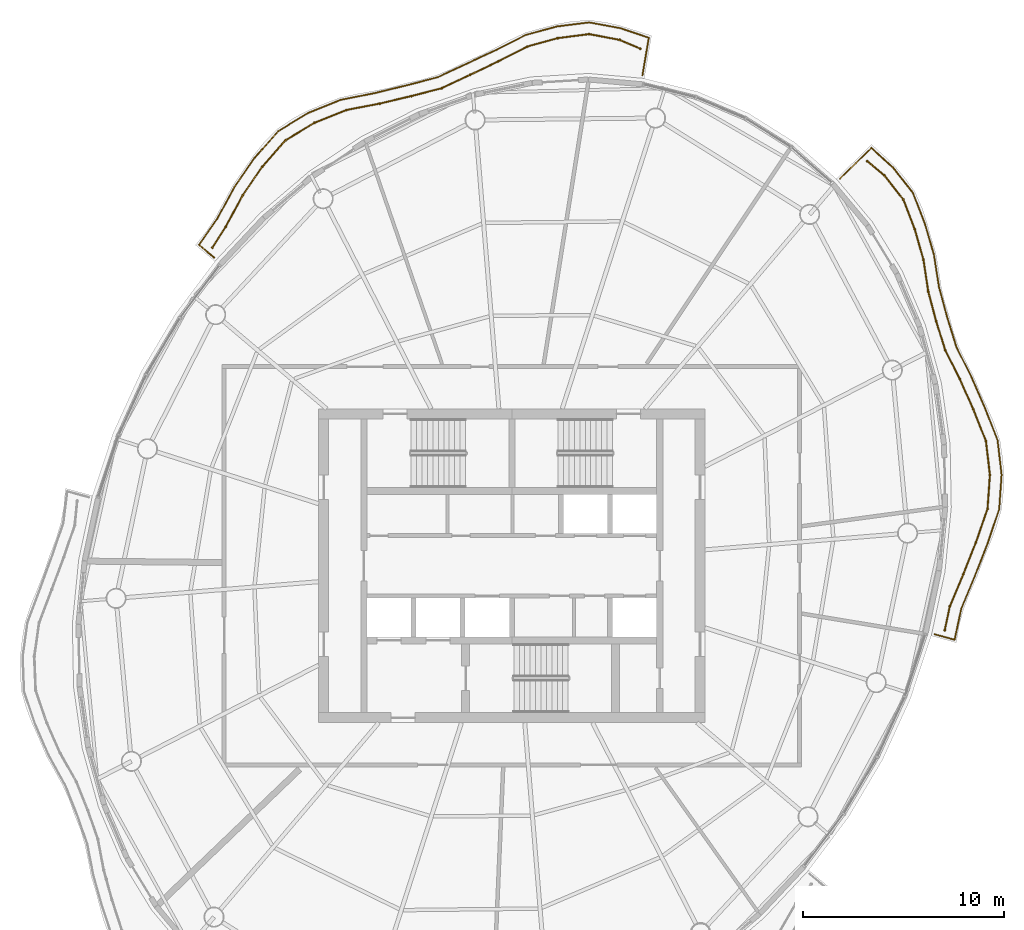
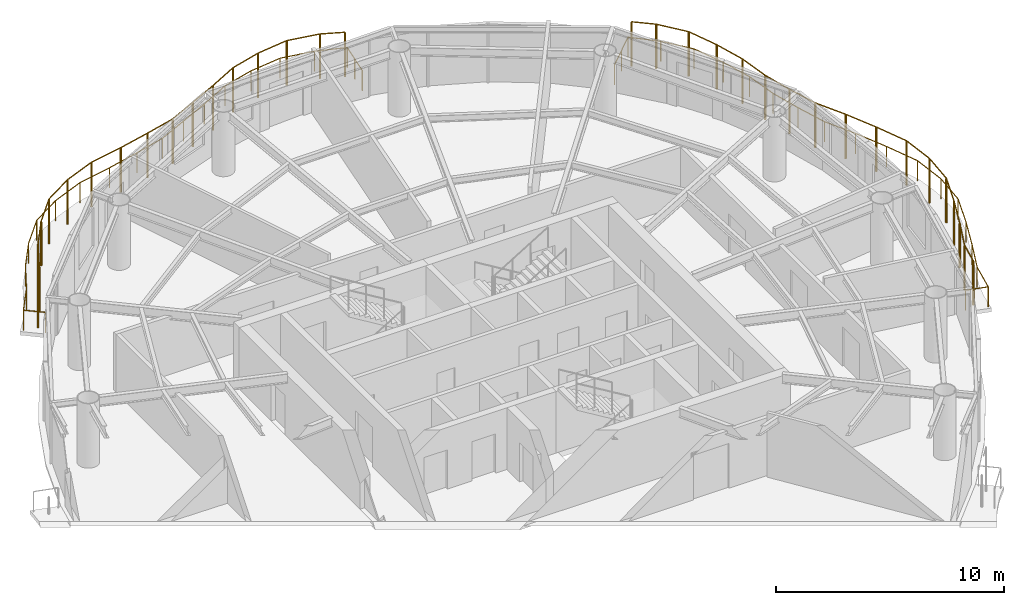
# One storey, part 13 of 13: 4 railings.
"""IFC4 building model written with IfcOpenShell, lengths in metres."""

from ifc_helpers import new_model, si_unit, direction, frame, origin, origin_2d, place, context, subcontext, project, spatial, circle, extrude, material, type_object, element, save


model = new_model("IFC4")

# Units and contexts
model_context = context("Model", 3, precision=1e-05, world=origin(), true_north=direction((0.0, 1.0)))
body_context = subcontext(model_context, "Body", "Model", "MODEL_VIEW")
ifc_project = project(units=[si_unit("LENGTHUNIT", "METRE"), si_unit("AREAUNIT", "SQUARE_METRE"), si_unit("VOLUMEUNIT", "CUBIC_METRE"), si_unit("PLANEANGLEUNIT", "RADIAN"), si_unit("MASSUNIT", "GRAM", prefix="KILO")], contexts=[model_context])

# Site, building, storey
site_placement = place(None, origin())
site = spatial("IfcSite", under=ifc_project, at=site_placement, CompositionType="ELEMENT")
building_placement = place(site_placement, origin())
building = spatial("IfcBuilding", under=site, at=building_placement, Name="Vermilion Reach Broadcast Tower", CompositionType="ELEMENT")
storey_placement = place(building_placement, frame((0.0, 0.0, 282.89990234375)))
storey = spatial("IfcBuildingStorey", under=building, at=storey_placement, Name="L70", CompositionType="ELEMENT", Elevation=282.89990234375)

# Railings
ifc_material_1 = material(Name="Terracotta baguette", Category="masonry")
railing_type_1 = type_object("IfcRailingType", Name="BAGUETTE SCREEN", PredefinedType="USERDEFINED", material=ifc_material_1)
railing_1_placement = place(storey_placement, frame((0.37939453125, 25.6923828125, 0.0)))
element("IfcRailing", 1, at=railing_1_placement, inside=storey, type_object=railing_type_1, Name="Baguette screen L70 group 1", ObjectType="BAGUETTE SCREEN", PredefinedType="USERDEFINED", context=body_context, shape_type="SweptSolid", body=[
    extrude(circle(Radius=0.030029296875, at=origin_2d()), frame((0.0, 0.0, 2.369873046875), z_axis=(-0.919269961753, 0.393627663432, 0.0), x_axis=(-0.393627663432, -0.919269961753, 0.0)), (0.0, 0.0, 1.0), 1.111572265625),
    extrude(circle(Radius=0.030029296875, at=origin_2d()), frame((-1.021728515625, 0.4375, 2.369873046875), z_axis=(-0.982446151198, 0.186546401722, 0.0), x_axis=(-0.186546401722, -0.982446151198, 0.0)), (0.0, 0.0, 1.0), 1.546875),
    extrude(circle(Radius=0.030029296875, at=origin_2d()), frame((-2.54150390625, 0.72607421875, 2.369873046875), z_axis=(-0.991807706507, -0.127739865799, 0.0), x_axis=(0.127739865799, -0.991807706507, 0.0)), (0.0, 0.0, 1.0), 1.572998046875),
    extrude(circle(Radius=0.030029296875, at=origin_2d()), frame((-4.1015625, 0.525146484375, 2.369873046875), z_axis=(-0.964058747064, -0.265689164645, 0.0), x_axis=(0.265689164645, -0.964058747064, 0.0)), (0.0, 0.0, 1.0), 1.56591796875),
    extrude(circle(Radius=0.030029296875, at=origin_2d()), frame((-5.611083984375, 0.109130859375, 2.369873046875), z_axis=(-0.889115163415, -0.457683543712, 0.0), x_axis=(0.457683543712, -0.889115163415, 0.0)), (0.0, 0.0, 1.0), 1.62744140625),
    extrude(circle(Radius=0.030029296875, at=origin_2d()), frame((-7.05810546875, -0.6357421875, 2.369873046875), z_axis=(-0.903728227747, -0.428106634349, 0.0), x_axis=(0.428106634349, -0.903728227747, 0.0)), (0.0, 0.0, 1.0), 1.5517578125),
    extrude(circle(Radius=0.030029296875, at=origin_2d()), frame((-8.46044921875, -1.300048828125, 2.369873046875), z_axis=(-0.904255386479, -0.42699203274, 0.0), x_axis=(0.42699203274, -0.904255386479, 0.0)), (0.0, 0.0, 1.0), 1.553955078125),
    extrude(circle(Radius=0.030029296875, at=origin_2d()), frame((-9.86572265625, -1.963623046875, 2.369873046875), z_axis=(-0.968133059881, -0.250436375881, 0.0), x_axis=(0.250436375881, -0.968133059881, 0.0)), (0.0, 0.0, 1.0), 1.547119140625),
    extrude(circle(Radius=0.030029296875, at=origin_2d()), frame((-11.363525390625, -2.35107421875, 2.369873046875), z_axis=(-0.972830405239, -0.231518903426, 0.0), x_axis=(0.231518903426, -0.972830405239, 0.0)), (0.0, 0.0, 1.0), 1.6240234375),
    extrude(circle(Radius=0.030029296875, at=origin_2d()), frame((-12.943359375, -2.72705078125, 2.369873046875), z_axis=(-0.982001304722, -0.188874131432, 0.0), x_axis=(0.188874131432, -0.982001304722, 0.0)), (0.0, 0.0, 1.0), 1.693359375),
    extrude(circle(Radius=0.030029296875, at=origin_2d()), frame((-14.606201171875, -3.046875, 2.369873046875), z_axis=(-0.92810034411, -0.372330164319, 0.0), x_axis=(0.372330164319, -0.92810034411, 0.0)), (0.0, 0.0, 1.0), 1.7021484375),
    extrude(circle(Radius=0.030029296875, at=origin_2d()), frame((-16.18603515625, -3.6806640625, 2.369873046875), z_axis=(-0.855213370004, -0.518276076783, 0.0), x_axis=(0.518276076783, -0.855213370004, 0.0)), (0.0, 0.0, 1.0), 1.688232421875),
    extrude(circle(Radius=0.030029296875, at=origin_2d()), frame((-17.6298828125, -4.5556640625, 2.369873046875), z_axis=(-0.661058813369, -0.750334089101, 0.0), x_axis=(0.750334089101, -0.661058813369, 0.0)), (0.0, 0.0, 1.0), 1.736572265625),
    extrude(circle(Radius=0.030029296875, at=origin_2d()), frame((-18.77783203125, -5.858642578125, 2.369873046875), z_axis=(-0.565913748762, -0.824464449787, 0.0), x_axis=(0.824464449787, -0.565913748762, 0.0)), (0.0, 0.0, 1.0), 1.735595703125),
    extrude(circle(Radius=0.030029296875, at=origin_2d()), frame((-19.760009765625, -7.28955078125, 2.369873046875), z_axis=(-0.472105980644, -0.881541798805, 0.0), x_axis=(0.881541798805, -0.472105980644, 0.0)), (0.0, 0.0, 1.0), 1.7607421875),
    extrude(circle(Radius=0.030029296875, at=origin_2d()), frame((-20.59130859375, -8.841796875, 2.369873046875), z_axis=(-0.538924422006, -0.842354122305, 0.0), x_axis=(0.842354122305, -0.538924422006, 0.0)), (0.0, 0.0, 1.0), 1.232666015625),
    extrude(circle(Radius=0.050048828125, at=origin_2d()), origin(), (0.0, 0.0, 1.0), 2.33984375),
    extrude(circle(Radius=0.050048828125, at=origin_2d()), frame((-1.021728515625, 0.4375, 0.0)), (0.0, 0.0, 1.0), 2.33984375),
    extrude(circle(Radius=0.050048828125, at=origin_2d()), frame((-2.54150390625, 0.72607421875, 0.0)), (0.0, 0.0, 1.0), 2.33984375),
    extrude(circle(Radius=0.050048828125, at=origin_2d()), frame((-4.1015625, 0.525146484375, 0.0)), (0.0, 0.0, 1.0), 2.33984375),
    extrude(circle(Radius=0.050048828125, at=origin_2d()), frame((-5.611083984375, 0.109130859375, 0.0)), (0.0, 0.0, 1.0), 2.33984375),
    extrude(circle(Radius=0.050048828125, at=origin_2d()), frame((-7.05810546875, -0.6357421875, 0.0)), (0.0, 0.0, 1.0), 2.33984375),
    extrude(circle(Radius=0.050048828125, at=origin_2d()), frame((-8.46044921875, -1.300048828125, 0.0)), (0.0, 0.0, 1.0), 2.33984375),
    extrude(circle(Radius=0.050048828125, at=origin_2d()), frame((-9.86572265625, -1.963623046875, 0.0)), (0.0, 0.0, 1.0), 2.33984375),
    extrude(circle(Radius=0.050048828125, at=origin_2d()), frame((-11.363525390625, -2.35107421875, 0.0)), (0.0, 0.0, 1.0), 2.33984375),
    extrude(circle(Radius=0.050048828125, at=origin_2d()), frame((-12.943359375, -2.72705078125, 0.0)), (0.0, 0.0, 1.0), 2.33984375),
    extrude(circle(Radius=0.050048828125, at=origin_2d()), frame((-14.606201171875, -3.046875, 0.0)), (0.0, 0.0, 1.0), 2.33984375),
    extrude(circle(Radius=0.050048828125, at=origin_2d()), frame((-16.18603515625, -3.6806640625, 0.0)), (0.0, 0.0, 1.0), 2.33984375),
    extrude(circle(Radius=0.050048828125, at=origin_2d()), frame((-17.6298828125, -4.5556640625, 0.0)), (0.0, 0.0, 1.0), 2.33984375),
    extrude(circle(Radius=0.050048828125, at=origin_2d()), frame((-18.77783203125, -5.858642578125, 0.0)), (0.0, 0.0, 1.0), 2.33984375),
    extrude(circle(Radius=0.050048828125, at=origin_2d()), frame((-19.760009765625, -7.28955078125, 0.0)), (0.0, 0.0, 1.0), 2.33984375),
    extrude(circle(Radius=0.050048828125, at=origin_2d()), frame((-20.59130859375, -8.841796875, 0.0)), (0.0, 0.0, 1.0), 2.33984375),
    extrude(circle(Radius=0.050048828125, at=origin_2d()), frame((-21.255615234375, -9.880126953125, 0.0)), (0.0, 0.0, 1.0), 2.33984375),
])
railing_2_placement = place(storey_placement, frame((15.5107421875, -3.201171875, 0.0)))
element("IfcRailing", 2, at=railing_2_placement, inside=storey, type_object=railing_type_1, Name="Baguette screen L70 group 4", ObjectType="BAGUETTE SCREEN", PredefinedType="USERDEFINED", context=body_context, shape_type="SweptSolid", body=[
    extrude(circle(Radius=0.030029296875, at=origin_2d()), frame((0.0, 0.0, 2.369873046875), z_axis=(0.208746186593, 0.97796985106, 0.0), x_axis=(-0.97796985106, 0.208746186593, 0.0)), (0.0, 0.0, 1.0), 1.214111328125),
    extrude(circle(Radius=0.030029296875, at=origin_2d()), frame((0.25341796875, 1.187255859375, 2.369873046875), z_axis=(0.388235399311, 0.921560239334, 0.0), x_axis=(-0.921560239334, 0.388235399311, 0.0)), (0.0, 0.0, 1.0), 1.712890625),
    extrude(circle(Radius=0.030029296875, at=origin_2d()), frame((0.91845703125, 2.765869140625, 2.369873046875), z_axis=(0.367308438936, 0.930099194004, 0.0), x_axis=(-0.930099194004, 0.367308438936, 0.0)), (0.0, 0.0, 1.0), 1.723388671875),
    extrude(circle(Radius=0.030029296875, at=origin_2d()), frame((1.551513671875, 4.368896484375, 2.369873046875), z_axis=(0.32719634818, 0.944956374516, 0.0), x_axis=(-0.944956374516, 0.32719634818, 0.0)), (0.0, 0.0, 1.0), 1.759521484375),
    extrude(circle(Radius=0.030029296875, at=origin_2d()), frame((2.127197265625, 6.031494140625, 2.369873046875), z_axis=(0.070114558501, 0.99753894595, 0.0), x_axis=(-0.99753894595, 0.070114558501, 0.0)), (0.0, 0.0, 1.0), 1.685302734375),
    extrude(circle(Radius=0.030029296875, at=origin_2d()), frame((2.245361328125, 7.712646484375, 2.369873046875), z_axis=(-0.116263030346, 0.99321845924, 0.0), x_axis=(-0.99321845924, -0.116263030346, 0.0)), (0.0, 0.0, 1.0), 1.6904296875),
    extrude(circle(Radius=0.030029296875, at=origin_2d()), frame((2.048828125, 9.3916015625, 2.369873046875), z_axis=(-0.369575082549, 0.929200870834, 0.0), x_axis=(-0.929200870834, -0.369575082549, 0.0)), (0.0, 0.0, 1.0), 1.693115234375),
    extrude(circle(Radius=0.030029296875, at=origin_2d()), frame((1.423095703125, 10.96484375, 2.369873046875), z_axis=(-0.406820678369, 0.913508038088, 0.0), x_axis=(-0.913508038088, -0.406820678369, 0.0)), (0.0, 0.0, 1.0), 1.659912109375),
    extrude(circle(Radius=0.030029296875, at=origin_2d()), frame((0.747802734375, 12.481201171875, 2.369873046875), z_axis=(-0.452245099719, 0.891893698699, 0.0), x_axis=(-0.891893698699, -0.452245099719, 0.0)), (0.0, 0.0, 1.0), 1.58935546875),
    extrude(circle(Radius=0.030029296875, at=origin_2d()), frame((0.029052734375, 13.898681640625, 2.369873046875), z_axis=(-0.298636763805, 0.954366849437, 0.0), x_axis=(-0.954366849437, -0.298636763805, 0.0)), (0.0, 0.0, 1.0), 1.536865234375),
    extrude(circle(Radius=0.030029296875, at=origin_2d()), frame((-0.429931640625, 15.365478515625, 2.369873046875), z_axis=(-0.257160550426, 0.966368693256, 0.0), x_axis=(-0.966368693256, -0.257160550426, 0.0)), (0.0, 0.0, 1.0), 1.51318359375),
    extrude(circle(Radius=0.030029296875, at=origin_2d()), frame((-0.819091796875, 16.827880859375, 2.369873046875), z_axis=(-0.148572395058, 0.988901533737, 0.0), x_axis=(-0.988901533737, -0.148572395058, 0.0)), (0.0, 0.0, 1.0), 1.595703125),
    extrude(circle(Radius=0.030029296875, at=origin_2d()), frame((-1.05615234375, 18.40576171875, 2.369873046875), z_axis=(-0.274782953715, 0.961506280972, 0.0), x_axis=(-0.961506280972, -0.274782953715, 0.0)), (0.0, 0.0, 1.0), 1.564697265625),
    extrude(circle(Radius=0.030029296875, at=origin_2d()), frame((-1.486083984375, 19.91015625, 2.369873046875), z_axis=(-0.358043054708, 0.933705077086, 0.0), x_axis=(-0.933705077086, -0.358043054708, 0.0)), (0.0, 0.0, 1.0), 1.5908203125),
    extrude(circle(Radius=0.030029296875, at=origin_2d()), frame((-2.0556640625, 21.3955078125, 2.369873046875), z_axis=(-0.618256759993, 0.785976194756, 0.0), x_axis=(-0.785976194756, -0.618256759993, 0.0)), (0.0, 0.0, 1.0), 1.53564453125),
    extrude(circle(Radius=0.030029296875, at=origin_2d()), frame((-3.005126953125, 22.6025390625, 2.369873046875), z_axis=(-0.768713740109, 0.639592984458, 0.0), x_axis=(-0.639592984458, -0.768713740109, 0.0)), (0.0, 0.0, 1.0), 1.0966796875),
    extrude(circle(Radius=0.050048828125, at=origin_2d()), origin(), (0.0, 0.0, 1.0), 2.33984375),
    extrude(circle(Radius=0.050048828125, at=origin_2d()), frame((0.25341796875, 1.187255859375, 0.0)), (0.0, 0.0, 1.0), 2.33984375),
    extrude(circle(Radius=0.050048828125, at=origin_2d()), frame((0.91845703125, 2.765869140625, 0.0)), (0.0, 0.0, 1.0), 2.33984375),
    extrude(circle(Radius=0.050048828125, at=origin_2d()), frame((1.551513671875, 4.368896484375, 0.0)), (0.0, 0.0, 1.0), 2.33984375),
    extrude(circle(Radius=0.050048828125, at=origin_2d()), frame((2.127197265625, 6.031494140625, 0.0)), (0.0, 0.0, 1.0), 2.33984375),
    extrude(circle(Radius=0.050048828125, at=origin_2d()), frame((2.245361328125, 7.712646484375, 0.0)), (0.0, 0.0, 1.0), 2.33984375),
    extrude(circle(Radius=0.050048828125, at=origin_2d()), frame((2.048828125, 9.3916015625, 0.0)), (0.0, 0.0, 1.0), 2.33984375),
    extrude(circle(Radius=0.050048828125, at=origin_2d()), frame((1.423095703125, 10.96484375, 0.0)), (0.0, 0.0, 1.0), 2.33984375),
    extrude(circle(Radius=0.050048828125, at=origin_2d()), frame((0.747802734375, 12.481201171875, 0.0)), (0.0, 0.0, 1.0), 2.33984375),
    extrude(circle(Radius=0.050048828125, at=origin_2d()), frame((0.029052734375, 13.898681640625, 0.0)), (0.0, 0.0, 1.0), 2.33984375),
    extrude(circle(Radius=0.050048828125, at=origin_2d()), frame((-0.429931640625, 15.365478515625, 0.0)), (0.0, 0.0, 1.0), 2.33984375),
    extrude(circle(Radius=0.050048828125, at=origin_2d()), frame((-0.819091796875, 16.827880859375, 0.0)), (0.0, 0.0, 1.0), 2.33984375),
    extrude(circle(Radius=0.050048828125, at=origin_2d()), frame((-1.05615234375, 18.40576171875, 0.0)), (0.0, 0.0, 1.0), 2.33984375),
    extrude(circle(Radius=0.050048828125, at=origin_2d()), frame((-1.486083984375, 19.91015625, 0.0)), (0.0, 0.0, 1.0), 2.33984375),
    extrude(circle(Radius=0.050048828125, at=origin_2d()), frame((-2.0556640625, 21.3955078125, 0.0)), (0.0, 0.0, 1.0), 2.33984375),
    extrude(circle(Radius=0.050048828125, at=origin_2d()), frame((-3.005126953125, 22.6025390625, 0.0)), (0.0, 0.0, 1.0), 2.33984375),
    extrude(circle(Radius=0.050048828125, at=origin_2d()), frame((-3.84814453125, 23.303955078125, 0.0)), (0.0, 0.0, 1.0), 2.33984375),
])
ifc_material_2 = material(Name="Stainless steel 316 balustrade", Category="steel")
railing_type_2 = type_object("IfcRailingType", Name="Balcony guard 1100", PredefinedType="BALUSTRADE", material=ifc_material_2)
railing_3_placement = place(storey_placement, frame((0.49169921875, 24.37353515625, 0.0)))
element("IfcRailing", 3, at=railing_3_placement, inside=storey, type_object=railing_type_2, Name="Balcony guard L70 group 1", PredefinedType="BALUSTRADE", context=body_context, shape_type="SweptSolid", body=[
    extrude(circle(Radius=0.02490234375, at=origin_2d()), frame((0.0, 0.0, 1.0751953125), z_axis=(0.165426631513, 0.986222099522, 0.0), x_axis=(-0.986222099522, 0.165426631513, 0.0)), (0.0, 0.0, 1.0), 1.8876953125),
    extrude(circle(Radius=0.02490234375, at=origin_2d()), frame((0.312255859375, 1.861572265625, 1.0751953125), z_axis=(-0.947147013091, 0.320799837271, 0.0), x_axis=(-0.320799837271, -0.947147013091, 0.0)), (0.0, 0.0, 1.0), 1.47265625),
    extrude(circle(Radius=0.02490234375, at=origin_2d()), frame((-1.08251953125, 2.333984375, 1.0751953125), z_axis=(-0.983131976033, 0.182897560677, 0.0), x_axis=(-0.182897560677, -0.983131976033, 0.0)), (0.0, 0.0, 1.0), 1.58984375),
    extrude(circle(Radius=0.02490234375, at=origin_2d()), frame((-2.6455078125, 2.624755859375, 1.0751953125), z_axis=(-0.992179929781, -0.124815812062, 0.0), x_axis=(0.124815812062, -0.992179929781, 0.0)), (0.0, 0.0, 1.0), 1.61572265625),
    extrude(circle(Radius=0.02490234375, at=origin_2d()), frame((-4.24853515625, 2.423095703125, 1.0751953125), z_axis=(-0.965200806391, -0.261509853243, 0.0), x_axis=(0.261509853243, -0.965200806391, 0.0)), (0.0, 0.0, 1.0), 1.606689453125),
    extrude(circle(Radius=0.02490234375, at=origin_2d()), frame((-5.79931640625, 2.0029296875, 1.0751953125), z_axis=(-0.89254460762, -0.450959115008, 0.0), x_axis=(0.450959115008, -0.89254460762, 0.0)), (0.0, 0.0, 1.0), 1.6669921875),
    extrude(circle(Radius=0.02490234375, at=origin_2d()), frame((-7.287109375, 1.251220703125, 1.0751953125), z_axis=(-0.905908363357, -0.423473773922, 0.0), x_axis=(0.423473773922, -0.905908363357, 0.0)), (0.0, 0.0, 1.0), 1.590087890625),
    extrude(circle(Radius=0.02490234375, at=origin_2d()), frame((-8.7275390625, 0.577880859375, 1.0751953125), z_axis=(-0.905626361776, -0.424076517691, 0.0), x_axis=(0.424076517691, -0.905626361776, 0.0)), (0.0, 0.0, 1.0), 1.593017578125),
    extrude(circle(Radius=0.02490234375, at=origin_2d()), frame((-10.170166015625, -0.09765625, 1.0751953125), z_axis=(-0.967446832178, -0.253074350555, 0.0), x_axis=(0.253074350555, -0.967446832178, 0.0)), (0.0, 0.0, 1.0), 1.583984375),
    extrude(circle(Radius=0.02490234375, at=origin_2d()), frame((-11.70263671875, -0.49853515625, 1.0751953125), z_axis=(-0.97182255196, -0.235713655741, 0.0), x_axis=(0.235713655741, -0.97182255196, 0.0)), (0.0, 0.0, 1.0), 1.660400390625),
    extrude(circle(Radius=0.02490234375, at=origin_2d()), frame((-13.316162109375, -0.889892578125, 1.0751953125), z_axis=(-0.980792119991, -0.195055933937, 0.0), x_axis=(0.195055933937, -0.980792119991, 0.0)), (0.0, 0.0, 1.0), 1.727294921875),
    extrude(circle(Radius=0.02490234375, at=origin_2d()), frame((-15.01025390625, -1.226806640625, 1.0751953125), z_axis=(-0.92680009729, -0.375555028808, 0.0), x_axis=(0.375555028808, -0.92680009729, 0.0)), (0.0, 0.0, 1.0), 1.737060546875),
    extrude(circle(Radius=0.02490234375, at=origin_2d()), frame((-16.6201171875, -1.879150390625, 1.0751953125), z_axis=(-0.854425691264, -0.519573611827, 0.0), x_axis=(0.519573611827, -0.854425691264, 0.0)), (0.0, 0.0, 1.0), 1.72216796875),
    extrude(circle(Radius=0.02490234375, at=origin_2d()), frame((-18.091552734375, -2.77392578125, 1.0751953125), z_axis=(-0.663567289581, -0.748116603344, 0.0), x_axis=(0.748116603344, -0.663567289581, 0.0)), (0.0, 0.0, 1.0), 1.77001953125),
    extrude(circle(Radius=0.02490234375, at=origin_2d()), frame((-19.26611328125, -4.09814453125, 1.0751953125), z_axis=(-0.56940390843, -0.822057898852, 0.0), x_axis=(0.822057898852, -0.56940390843, 0.0)), (0.0, 0.0, 1.0), 1.767333984375),
    extrude(circle(Radius=0.02490234375, at=origin_2d()), frame((-20.2724609375, -5.551025390625, 1.0751953125), z_axis=(-0.476721999957, -0.879054113668, 0.0), x_axis=(0.879054113668, -0.476721999957, 0.0)), (0.0, 0.0, 1.0), 1.7919921875),
    extrude(circle(Radius=0.02490234375, at=origin_2d()), frame((-21.126708984375, -7.126220703125, 1.0751953125), z_axis=(-0.573060357707, -0.819513164278, 0.0), x_axis=(0.819513164278, -0.573060357707, 0.0)), (0.0, 0.0, 1.0), 1.58984375),
    extrude(circle(Radius=0.02490234375, at=origin_2d()), frame((-22.037841796875, -8.42919921875, 1.0751953125), z_axis=(0.766089449871, -0.642733968914, 0.0), x_axis=(0.642733968914, 0.766089449871, 0.0)), (0.0, 0.0, 1.0), 0.987548828125),
    extrude(circle(Radius=0.02490234375, at=origin_2d()), origin(), (0.0, 0.0, 1.0), 1.050048828125),
    extrude(circle(Radius=0.02490234375, at=origin_2d()), frame((0.15625, 0.9306640625, 0.0)), (0.0, 0.0, 1.0), 1.050048828125),
    extrude(circle(Radius=0.02490234375, at=origin_2d()), frame((0.312255859375, 1.861572265625, 0.0)), (0.0, 0.0, 1.0), 1.050048828125),
    extrude(circle(Radius=0.02490234375, at=origin_2d()), frame((-1.08251953125, 2.333984375, 0.0)), (0.0, 0.0, 1.0), 1.050048828125),
    extrude(circle(Radius=0.02490234375, at=origin_2d()), frame((-2.6455078125, 2.624755859375, 0.0)), (0.0, 0.0, 1.0), 1.050048828125),
    extrude(circle(Radius=0.02490234375, at=origin_2d()), frame((-4.24853515625, 2.423095703125, 0.0)), (0.0, 0.0, 1.0), 1.050048828125),
    extrude(circle(Radius=0.02490234375, at=origin_2d()), frame((-5.79931640625, 2.0029296875, 0.0)), (0.0, 0.0, 1.0), 1.050048828125),
    extrude(circle(Radius=0.02490234375, at=origin_2d()), frame((-7.287109375, 1.251220703125, 0.0)), (0.0, 0.0, 1.0), 1.050048828125),
    extrude(circle(Radius=0.02490234375, at=origin_2d()), frame((-8.7275390625, 0.577880859375, 0.0)), (0.0, 0.0, 1.0), 1.050048828125),
    extrude(circle(Radius=0.02490234375, at=origin_2d()), frame((-10.170166015625, -0.09765625, 0.0)), (0.0, 0.0, 1.0), 1.050048828125),
    extrude(circle(Radius=0.02490234375, at=origin_2d()), frame((-11.70263671875, -0.49853515625, 0.0)), (0.0, 0.0, 1.0), 1.050048828125),
    extrude(circle(Radius=0.02490234375, at=origin_2d()), frame((-13.316162109375, -0.889892578125, 0.0)), (0.0, 0.0, 1.0), 1.050048828125),
    extrude(circle(Radius=0.02490234375, at=origin_2d()), frame((-15.01025390625, -1.226806640625, 0.0)), (0.0, 0.0, 1.0), 1.050048828125),
    extrude(circle(Radius=0.02490234375, at=origin_2d()), frame((-16.6201171875, -1.879150390625, 0.0)), (0.0, 0.0, 1.0), 1.050048828125),
    extrude(circle(Radius=0.02490234375, at=origin_2d()), frame((-18.091552734375, -2.77392578125, 0.0)), (0.0, 0.0, 1.0), 1.050048828125),
    extrude(circle(Radius=0.02490234375, at=origin_2d()), frame((-19.26611328125, -4.09814453125, 0.0)), (0.0, 0.0, 1.0), 1.050048828125),
    extrude(circle(Radius=0.02490234375, at=origin_2d()), frame((-20.2724609375, -5.551025390625, 0.0)), (0.0, 0.0, 1.0), 1.050048828125),
    extrude(circle(Radius=0.02490234375, at=origin_2d()), frame((-21.126708984375, -7.126220703125, 0.0)), (0.0, 0.0, 1.0), 1.050048828125),
    extrude(circle(Radius=0.02490234375, at=origin_2d()), frame((-22.037841796875, -8.42919921875, 0.0)), (0.0, 0.0, 1.0), 1.050048828125),
    extrude(circle(Radius=0.02490234375, at=origin_2d()), frame((-21.28125, -9.06396484375, 0.0)), (0.0, 0.0, 1.0), 1.050048828125),
])
railing_4_placement = place(storey_placement, frame((15.01220703125, -3.406982421875, 0.0)))
element("IfcRailing", 4, at=railing_4_placement, inside=storey, type_object=railing_type_2, Name="Balcony guard L70 group 4", PredefinedType="BALUSTRADE", context=body_context, shape_type="SweptSolid", body=[
    extrude(circle(Radius=0.02490234375, at=origin_2d()), frame((0.0, 0.0, 1.0751953125), z_axis=(0.964966822998, -0.262371931642, 0.0), x_axis=(0.262371931642, 0.964966822998, 0.0)), (0.0, 0.0, 1.0), 1.025390625),
    extrude(circle(Radius=0.02490234375, at=origin_2d()), frame((0.989501953125, -0.26904296875, 1.0751953125), z_axis=(0.20932803627, 0.97784547513, 0.0), x_axis=(-0.97784547513, 0.20932803627, 0.0)), (0.0, 0.0, 1.0), 1.57568359375),
    extrude(circle(Radius=0.02490234375, at=origin_2d()), frame((1.3193359375, 1.271728515625, 1.0751953125), z_axis=(0.384307415955, 0.923205183067, 0.0), x_axis=(-0.923205183067, 0.384307415955, 0.0)), (0.0, 0.0, 1.0), 1.7451171875),
    extrude(circle(Radius=0.02490234375, at=origin_2d()), frame((1.989990234375, 2.8828125, 1.0751953125), z_axis=(0.363077208079, 0.931759057361, 0.0), x_axis=(-0.931759057361, 0.363077208079, 0.0)), (0.0, 0.0, 1.0), 1.755126953125),
    extrude(circle(Radius=0.02490234375, at=origin_2d()), frame((2.627197265625, 4.51806640625, 1.0751953125), z_axis=(0.322596260231, 0.946536662198, 0.0), x_axis=(-0.946536662198, 0.322596260231, 0.0)), (0.0, 0.0, 1.0), 1.7919921875),
    extrude(circle(Radius=0.02490234375, at=origin_2d()), frame((3.205322265625, 6.21435546875, 1.0751953125), z_axis=(0.068875197539, 0.997625283944, 0.0), x_axis=(-0.997625283944, 0.068875197539, 0.0)), (0.0, 0.0, 1.0), 1.71923828125),
    extrude(circle(Radius=0.02490234375, at=origin_2d()), frame((3.32373046875, 7.929443359375, 1.0751953125), z_axis=(-0.114871103543, 0.993380405268, 0.0), x_axis=(-0.993380405268, -0.114871103543, 0.0)), (0.0, 0.0, 1.0), 1.725830078125),
    extrude(circle(Radius=0.02490234375, at=origin_2d()), frame((3.12548828125, 9.643798828125, 1.0751953125), z_axis=(-0.364484607152, 0.931209413155, 0.0), x_axis=(-0.931209413155, -0.364484607152, 0.0)), (0.0, 0.0, 1.0), 1.7275390625),
    extrude(circle(Radius=0.02490234375, at=origin_2d()), frame((2.495849609375, 11.25244140625, 1.0751953125), z_axis=(-0.40191352564, 0.91567762772, 0.0), x_axis=(-0.91567762772, -0.40191352564, 0.0)), (0.0, 0.0, 1.0), 1.696044921875),
    extrude(circle(Radius=0.02490234375, at=origin_2d()), frame((1.814208984375, 12.805419921875, 1.0751953125), z_axis=(-0.447574021482, 0.894246887216, 0.0), x_axis=(-0.894246887216, -0.447574021482, 0.0)), (0.0, 0.0, 1.0), 1.62548828125),
    extrude(circle(Radius=0.02490234375, at=origin_2d()), frame((1.086669921875, 14.259033203125, 1.0751953125), z_axis=(-0.298654235463, 0.954361382098, 0.0), x_axis=(-0.954361382098, -0.298654235463, 0.0)), (0.0, 0.0, 1.0), 1.576171875),
    extrude(circle(Radius=0.02490234375, at=origin_2d()), frame((0.615966796875, 15.76318359375, 1.0751953125), z_axis=(-0.259815545852, 0.965658263639, 0.0), x_axis=(-0.965658263639, -0.259815545852, 0.0)), (0.0, 0.0, 1.0), 1.55224609375),
    extrude(circle(Radius=0.02490234375, at=origin_2d()), frame((0.212646484375, 17.26220703125, 1.0751953125), z_axis=(-0.15572489188, 0.987800464694, 0.0), x_axis=(-0.987800464694, -0.15572489188, 0.0)), (0.0, 0.0, 1.0), 1.63525390625),
    extrude(circle(Radius=0.02490234375, at=origin_2d()), frame((-0.0419921875, 18.87744140625, 1.0751953125), z_axis=(-0.280543271932, 0.959841378861, 0.0), x_axis=(-0.959841378861, -0.280543271932, 0.0)), (0.0, 0.0, 1.0), 1.604736328125),
    extrude(circle(Radius=0.02490234375, at=origin_2d()), frame((-0.4921875, 20.417724609375, 1.0751953125), z_axis=(-0.363412748282, 0.931628238294, 0.0), x_axis=(-0.931628238294, -0.363412748282, 0.0)), (0.0, 0.0, 1.0), 1.633056640625),
    extrude(circle(Radius=0.02490234375, at=origin_2d()), frame((-1.085693359375, 21.939208984375, 1.0751953125), z_axis=(-0.618149261749, 0.786060742054, 0.0), x_axis=(-0.786060742054, -0.618149261749, 0.0)), (0.0, 0.0, 1.0), 1.5791015625),
    extrude(circle(Radius=0.02490234375, at=origin_2d()), frame((-2.061767578125, 23.180419921875, 1.0751953125), z_axis=(-0.739367529823, 0.673302053942, 0.0), x_axis=(-0.673302053942, -0.739367529823, 0.0)), (0.0, 0.0, 1.0), 1.467041015625),
    extrude(circle(Radius=0.02490234375, at=origin_2d()), frame((-3.146484375, 24.168212890625, 1.0751953125), z_axis=(-0.715361830122, -0.698754214301, 0.0), x_axis=(0.698754214301, -0.715361830122, 0.0)), (0.0, 0.0, 1.0), 2.17578125),
    extrude(circle(Radius=0.02490234375, at=origin_2d()), origin(), (0.0, 0.0, 1.0), 1.050048828125),
    extrude(circle(Radius=0.02490234375, at=origin_2d()), frame((0.989501953125, -0.26904296875, 0.0)), (0.0, 0.0, 1.0), 1.050048828125),
    extrude(circle(Radius=0.02490234375, at=origin_2d()), frame((1.3193359375, 1.271728515625, 0.0)), (0.0, 0.0, 1.0), 1.050048828125),
    extrude(circle(Radius=0.02490234375, at=origin_2d()), frame((1.989990234375, 2.8828125, 0.0)), (0.0, 0.0, 1.0), 1.050048828125),
    extrude(circle(Radius=0.02490234375, at=origin_2d()), frame((2.627197265625, 4.51806640625, 0.0)), (0.0, 0.0, 1.0), 1.050048828125),
    extrude(circle(Radius=0.02490234375, at=origin_2d()), frame((3.205322265625, 6.21435546875, 0.0)), (0.0, 0.0, 1.0), 1.050048828125),
    extrude(circle(Radius=0.02490234375, at=origin_2d()), frame((3.32373046875, 7.929443359375, 0.0)), (0.0, 0.0, 1.0), 1.050048828125),
    extrude(circle(Radius=0.02490234375, at=origin_2d()), frame((3.12548828125, 9.643798828125, 0.0)), (0.0, 0.0, 1.0), 1.050048828125),
    extrude(circle(Radius=0.02490234375, at=origin_2d()), frame((2.495849609375, 11.25244140625, 0.0)), (0.0, 0.0, 1.0), 1.050048828125),
    extrude(circle(Radius=0.02490234375, at=origin_2d()), frame((1.814208984375, 12.805419921875, 0.0)), (0.0, 0.0, 1.0), 1.050048828125),
    extrude(circle(Radius=0.02490234375, at=origin_2d()), frame((1.086669921875, 14.259033203125, 0.0)), (0.0, 0.0, 1.0), 1.050048828125),
    extrude(circle(Radius=0.02490234375, at=origin_2d()), frame((0.615966796875, 15.76318359375, 0.0)), (0.0, 0.0, 1.0), 1.050048828125),
    extrude(circle(Radius=0.02490234375, at=origin_2d()), frame((0.212646484375, 17.26220703125, 0.0)), (0.0, 0.0, 1.0), 1.050048828125),
    extrude(circle(Radius=0.02490234375, at=origin_2d()), frame((-0.0419921875, 18.87744140625, 0.0)), (0.0, 0.0, 1.0), 1.050048828125),
    extrude(circle(Radius=0.02490234375, at=origin_2d()), frame((-0.4921875, 20.417724609375, 0.0)), (0.0, 0.0, 1.0), 1.050048828125),
    extrude(circle(Radius=0.02490234375, at=origin_2d()), frame((-1.085693359375, 21.939208984375, 0.0)), (0.0, 0.0, 1.0), 1.050048828125),
    extrude(circle(Radius=0.02490234375, at=origin_2d()), frame((-2.061767578125, 23.180419921875, 0.0)), (0.0, 0.0, 1.0), 1.050048828125),
    extrude(circle(Radius=0.02490234375, at=origin_2d()), frame((-3.146484375, 24.168212890625, 0.0)), (0.0, 0.0, 1.0), 1.050048828125),
    extrude(circle(Radius=0.02490234375, at=origin_2d()), frame((-3.9248046875, 23.408203125, 0.0)), (0.0, 0.0, 1.0), 1.050048828125),
    extrude(circle(Radius=0.02490234375, at=origin_2d()), frame((-4.702880859375, 22.64794921875, 0.0)), (0.0, 0.0, 1.0), 1.050048828125),
])

save(model, "model.ifc")
